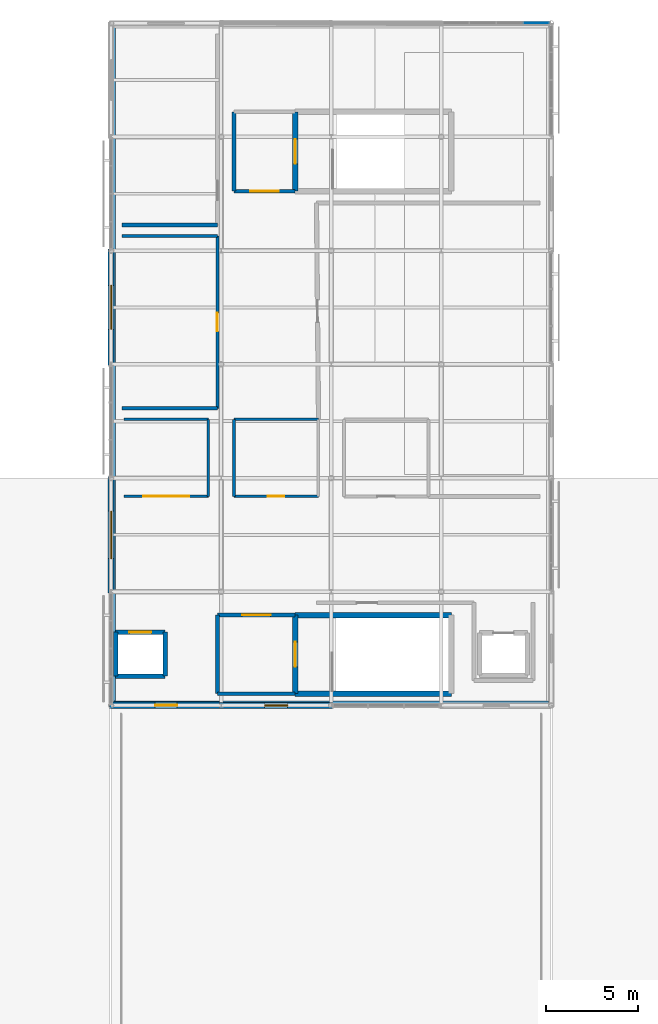
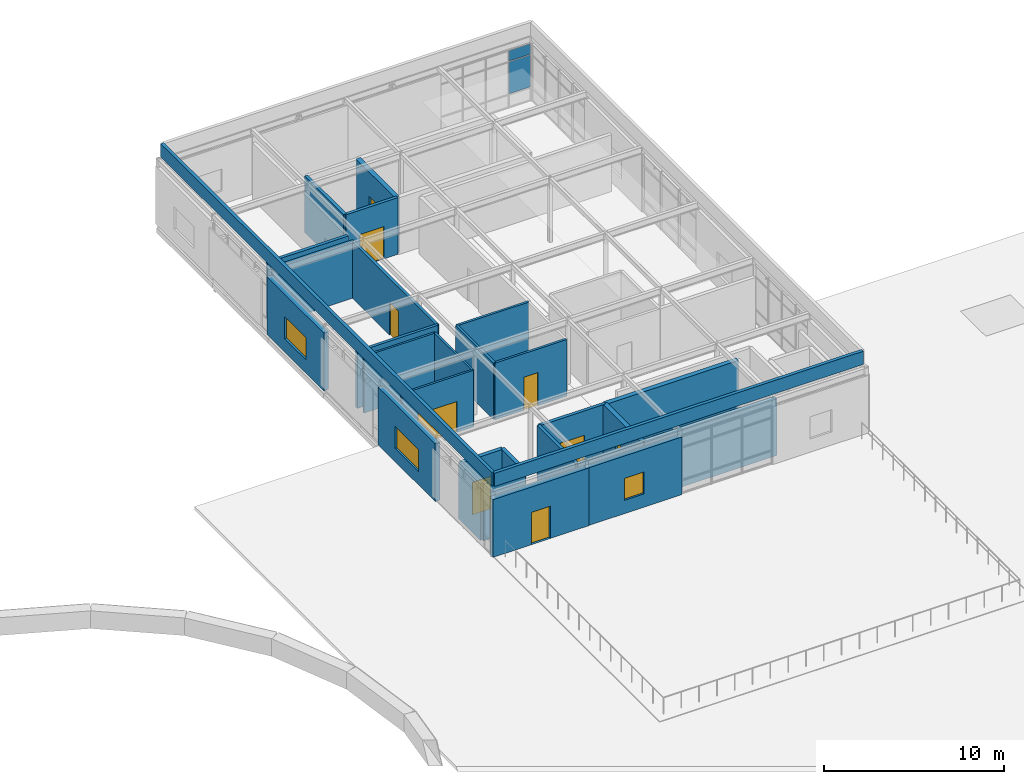
# One storey, part 13 of 16: 29 walls, 9 doors, 3 windows, 2 plates, 12 openings, 1 element without a shape of its own.
"""IFC4 building model written with IfcOpenShell, lengths in metres."""

from ifc_helpers import new_model, si_unit, direction, frame, frame_2d, origin, origin_2d, place, context, subcontext, project, spatial, rectangle, extrude, material, layer, layer_set, type_object, element, fill, aggregate, save


model = new_model("IFC4")

# Units and contexts
model_context = context("Model", 3, precision=1e-05, world=origin(), true_north=direction((0.0, 1.0)))
body_context = subcontext(model_context, "Body", "Model", "MODEL_VIEW")
ifc_project = project(units=[si_unit("LENGTHUNIT", "METRE"), si_unit("AREAUNIT", "SQUARE_METRE"), si_unit("VOLUMEUNIT", "CUBIC_METRE"), si_unit("PLANEANGLEUNIT", "RADIAN"), si_unit("MASSUNIT", "GRAM", prefix="KILO")], contexts=[model_context])

# Site, building, storey
site_placement = place(None, origin())
site = spatial("IfcSite", under=ifc_project, at=site_placement, CompositionType="ELEMENT")
building_placement = place(site_placement, origin())
building = spatial("IfcBuilding", under=site, at=building_placement, Name="Mirzam Square Science Centre", CompositionType="ELEMENT")
storey_placement = place(building_placement, frame((0.0, 0.0, 25.199951171875)))
storey = spatial("IfcBuildingStorey", under=building, at=storey_placement, Name="L05", CompositionType="ELEMENT", Elevation=25.199951171875)

# Curtain wall, plates
ifc_material_1 = material(Name="Anodised Aluminium and Low-E Solar Glass", Category="aluminium")
ifc_layer_1 = layer(ifc_material_1, 0.159912109375)
ifc_layer_set_1 = layer_set([ifc_layer_1], Name="CW-COURT-B")
curtain_wall_type = type_object("IfcCurtainWallType", Name="CW-COURT-B", PredefinedType="USERDEFINED", material=ifc_layer_set_1)
curtain_wall_placement = place(storey_placement, origin())
curtain_wall = element("IfcCurtainWall", 1, at=curtain_wall_placement, inside=storey, type_object=curtain_wall_type, Name="L05 unitised curtain wall 170", ObjectType="UNITISED CURTAIN WALL", PredefinedType="USERDEFINED")
ifc_material_2 = material(Name="Ceramic-Fritted Courtyard Solar Glass", Category="glass")
ifc_layer_2 = layer(ifc_material_2, 0.02392578125)
ifc_layer_set_2 = layer_set([ifc_layer_2], Name="CWP-GLZ-24")
plate_type = type_object("IfcPlateType", Name="CWP-GLZ-24", PredefinedType="CURTAIN_PANEL", material=ifc_layer_set_2)
plate_1_placement = place(storey_placement, frame((137.19384765625, 111.60009765625, 0.93017578125), z_axis=(0.0, 0.0, 1.0), x_axis=(-1.0, 0.0, 0.0)))
plate_1 = element("IfcPlate", 2, at=plate_1_placement, type_object=plate_type, Name="CW-04 panel 1.2", PredefinedType="CURTAIN_PANEL", context=body_context, shape_type="SweptSolid", body=[
    extrude(rectangle(XDim=1.382568359375, YDim=0.02392578125, at=origin_2d()), origin(), (0.0, 0.0, 1.0), 2.159912109375),
])
plate_2_placement = place(storey_placement, frame((137.19384765625, 111.60009765625, 3.150146484375), z_axis=(0.0, 0.0, 1.0), x_axis=(-1.0, 0.0, 0.0)))
plate_2 = element("IfcPlate", 3, at=plate_2_placement, type_object=plate_type, Name="CW-04 panel 1.3", PredefinedType="CURTAIN_PANEL", context=body_context, shape_type="SweptSolid", body=[
    extrude(rectangle(XDim=1.382568359375, YDim=0.02392578125, at=origin_2d()), origin(), (0.0, 0.0, 1.0), 0.7099609375),
])
aggregate(curtain_wall, [plate_1, plate_2])

# Walls
ifc_material_3 = material(Name="Concrete C45/55", Category="concrete")
ifc_layer_3 = layer(ifc_material_3, 0.300048828125)
ifc_layer_set_3 = layer_set([ifc_layer_3], Name="W-CORE-300")
wall_type_1 = type_object("IfcWallType", Name="W-CORE-300", PredefinedType="SHEAR", material=ifc_layer_set_3)
for number, where, z_axis, x_axis, name in (
    (4, (124.0400390625, 75.0400390625, 0.0), (0.0, 0.0, 1.0), (1.0, 0.0, 0.0), "L05 CORE-4 south wall"),
    (5, (132.56005859375, 79.330078125, 0.0), (0.0, 0.0, 1.0), (-1.0, 0.0, 0.0), "L05 CORE-4 north wall"),
):
    element("IfcWall", number, at=place(storey_placement, frame(where, z_axis=z_axis, x_axis=x_axis)), inside=storey, type_object=wall_type_1, Name=name, PredefinedType="SHEAR", context=body_context, shape_type="SweptSolid", body=[
        extrude(rectangle(XDim=8.52001953125, YDim=0.300048828125, at=frame_2d((4.260009765625, 0.0))), origin(), (0.0, 0.0, 1.0), 3.85009765625),
    ])

# Wall, opening, door
wall_1_placement = place(storey_placement, frame((124.0400390625, 79.330078125, 0.0), z_axis=(0.0, 0.0, 1.0), x_axis=(0.0, -1.0, 0.0)))
wall_1 = element("IfcWall", 6, at=wall_1_placement, inside=storey, type_object=wall_type_1, Name="L05 CORE-4 west wall", PredefinedType="SHEAR", context=body_context, shape_type="SweptSolid", body=[
    extrude(rectangle(XDim=4.2900390625, YDim=0.300048828125, at=frame_2d((2.14501953125, 0.0))), origin(), (0.0, 0.0, 1.0), 3.85009765625),
])
opening_1_placement = place(wall_1_placement, frame((1.469970703125, 0.0, 0.0)))
opening_1 = element("IfcOpeningElement", 7, at=opening_1_placement, cuts=wall_1, Name="Opening DS-01", PredefinedType="OPENING", context=body_context, shape_type="SweptSolid", body=[
    extrude(rectangle(XDim=1.35009765625, YDim=2.199951171875, at=frame_2d((0.675048828125, 1.10009765625))), frame((0.0, 0.159912109375, 0.0), z_axis=(0.0, -1.0, 0.0), x_axis=(1.0, 0.0, 0.0)), (0.0, 0.0, 1.0), 0.320068359375),
])
ifc_material_4 = material(Name="Fire-Rated Powder-Coated Architectural Steel Door", Category="steel")
door_type_1 = type_object("IfcDoorType", Name="DR-STAIR-1350x2200", OperationType="NOTDEFINED", PredefinedType="DOOR", material=ifc_material_4)
door_1_placement = place(opening_1_placement, origin())
door_1 = element("IfcDoor", 8, at=door_1_placement, inside=storey, type_object=door_type_1, Name="DRS-4-L05", OperationType="SINGLE_SWING_LEFT", OverallHeight=2.199951171875, OverallWidth=1.35009765625, PredefinedType="DOOR", context=body_context, shape_type="SweptSolid", body=[
    extrude(rectangle(XDim=1.35009765625, YDim=2.199951171875, at=frame_2d((0.675048828125, 1.10009765625))), frame((0.0, 0.02490234375, 0.0), z_axis=(0.0, -1.0, 0.0), x_axis=(1.0, 0.0, 0.0)), (0.0, 0.0, 1.0), 0.050048828125),
])
fill(opening_1, door_1)

wall_2_placement = place(storey_placement, frame((124.0400390625, 106.77001953125, 0.0), z_axis=(0.0, 0.0, 1.0), x_axis=(0.0, -1.0, 0.0)))
wall_2 = element("IfcWall", 9, at=wall_2_placement, inside=storey, type_object=wall_type_1, Name="L05 CORE-7 west wall", PredefinedType="SHEAR", context=body_context, shape_type="SweptSolid", body=[
    extrude(rectangle(XDim=4.330078125, YDim=0.300048828125, at=frame_2d((2.1650390625, 0.0))), origin(), (0.0, 0.0, 1.0), 3.85009765625),
])
opening_2_placement = place(wall_2_placement, frame((1.489990234375, 0.0, 0.0)))
opening_2 = element("IfcOpeningElement", 10, at=opening_2_placement, cuts=wall_2, Name="Opening DS-01", PredefinedType="OPENING", context=body_context, shape_type="SweptSolid", body=[
    extrude(rectangle(XDim=1.35009765625, YDim=2.199951171875, at=frame_2d((0.675048828125, 1.10009765625))), frame((0.0, 0.159912109375, 0.0), z_axis=(0.0, -1.0, 0.0), x_axis=(1.0, 0.0, 0.0)), (0.0, 0.0, 1.0), 0.320068359375),
])
door_2_placement = place(opening_2_placement, origin())
door_2 = element("IfcDoor", 11, at=door_2_placement, inside=storey, type_object=door_type_1, Name="DRS-7-L05", OperationType="SINGLE_SWING_RIGHT", OverallHeight=2.199951171875, OverallWidth=1.35009765625, PredefinedType="DOOR", context=body_context, shape_type="SweptSolid", body=[
    extrude(rectangle(XDim=1.35009765625, YDim=2.199951171875, at=frame_2d((0.675048828125, 1.10009765625))), frame((0.0, 0.02490234375, 0.0), z_axis=(0.0, -1.0, 0.0), x_axis=(1.0, 0.0, 0.0)), (0.0, 0.0, 1.0), 0.050048828125),
])
fill(opening_2, door_2)

ifc_material_5 = material(Name="Insulated Sand-Toned GFRC Concrete C40/50", Category="concrete")
ifc_layer_4 = layer(ifc_material_5, 0.35498046875)
ifc_layer_set_4 = layer_set([ifc_layer_4], Name="W-EXT-GFRC-355")
wall_type_2 = type_object("IfcWallType", Name="W-EXT-GFRC-355", PredefinedType="SOLIDWALL", material=ifc_layer_set_4)
wall_3_placement = place(storey_placement, frame((113.925048828125, 74.39990234375, 0.0), z_axis=(0.0, 0.0, 1.0), x_axis=(1.0, 0.0, 0.0)))
wall_3 = element("IfcWall", 12, at=wall_3_placement, inside=storey, type_object=wall_type_2, Name="L05 external wall EW-EST-S-L05-01", PredefinedType="SOLIDWALL", context=body_context, shape_type="SweptSolid", body=[
    extrude(rectangle(XDim=6.14990234375, YDim=0.35498046875, at=frame_2d((3.074951171875, 0.0))), origin(), (0.0, 0.0, 1.0), 3.920166015625),
])
opening_3_placement = place(wall_3_placement, frame((2.47509765625, 0.0, 0.0)))
opening_3 = element("IfcOpeningElement", 13, at=opening_3_placement, cuts=wall_3, Name="Opening TD-01", PredefinedType="OPENING", context=body_context, shape_type="SweptSolid", body=[
    extrude(rectangle(XDim=1.199951171875, YDim=2.199951171875, at=frame_2d((0.60009765625, 1.10009765625))), frame((0.0, 0.1875, 0.0), z_axis=(0.0, -1.0, 0.0), x_axis=(1.0, 0.0, 0.0)), (0.0, 0.0, 1.0), 0.375),
])
ifc_material_6 = material(Name="Thermally Broken Bronze-Anodised Aluminium and Laminated Glass", Category="aluminium")
door_type_2 = type_object("IfcDoorType", Name="DR-TERR-1200x2200", OperationType="NOTDEFINED", PredefinedType="DOOR", material=ifc_material_6)
door_3_placement = place(opening_3_placement, frame((1.199951171875, 0.0, 0.0), z_axis=(0.0, 0.0, 1.0), x_axis=(-1.0, 0.0, 0.0)))
door_3 = element("IfcDoor", 14, at=door_3_placement, inside=storey, type_object=door_type_2, Name="ED-L05-029", OperationType="SINGLE_SWING_RIGHT", OverallHeight=2.199951171875, OverallWidth=1.199951171875, PredefinedType="DOOR", context=body_context, shape_type="SweptSolid", body=[
    extrude(rectangle(XDim=1.199951171875, YDim=2.199951171875, at=frame_2d((0.60009765625, 1.10009765625))), frame((0.0, 0.02490234375, 0.0), z_axis=(0.0, -1.0, 0.0), x_axis=(1.0, 0.0, 0.0)), (0.0, 0.0, 1.0), 0.050048828125),
])
fill(opening_3, door_3)

# Wall, opening, window
ifc_material_7 = material(Name="Insulated Observatory Cladding Concrete C40/50", Category="concrete")
ifc_layer_5 = layer(ifc_material_7, 0.31494140625)
ifc_layer_set_5 = layer_set([ifc_layer_5], Name="W-EXT-OBS-315")
wall_type_3 = type_object("IfcWallType", Name="W-EXT-OBS-315", PredefinedType="SOLIDWALL", material=ifc_layer_set_5)
wall_4_placement = place(storey_placement, frame((119.925048828125, 74.39990234375, 0.0), z_axis=(0.0, 0.0, 1.0), x_axis=(1.0, 0.0, 0.0)))
wall_4 = element("IfcWall", 15, at=wall_4_placement, inside=storey, type_object=wall_type_3, Name="L05 external wall EW-EST-S-L05-02", PredefinedType="SOLIDWALL", context=body_context, shape_type="SweptSolid", body=[
    extrude(rectangle(XDim=6.14990234375, YDim=0.31494140625, at=frame_2d((3.074951171875, 0.0))), origin(), (0.0, 0.0, 1.0), 3.920166015625),
])
opening_4_placement = place(wall_4_placement, frame((2.449951171875, 0.0, 0.89990234375)))
opening_4 = element("IfcOpeningElement", 16, at=opening_4_placement, cuts=wall_4, Name="Opening W-13", PredefinedType="OPENING", context=body_context, shape_type="SweptSolid", body=[
    extrude(rectangle(XDim=1.25, YDim=1.5, at=frame_2d((0.625, 0.75))), frame((0.0, 0.16748046875, 0.0), z_axis=(0.0, -1.0, 0.0), x_axis=(1.0, 0.0, 0.0)), (0.0, 0.0, 1.0), 0.3349609375),
])
ifc_material_8 = material(Name="Thermally Broken Bronze Aluminium and Low-E Glass", Category="aluminium")
window_type_1 = type_object("IfcWindowType", Name="WIN-1250x1500", PartitioningType="SINGLE_PANEL", PredefinedType="WINDOW", material=ifc_material_8)
window_1_placement = place(opening_4_placement, origin())
window_1 = element("IfcWindow", 17, at=window_1_placement, inside=storey, type_object=window_type_1, Name="L05 solar window 101", OverallHeight=1.5, OverallWidth=1.25, PartitioningType="SINGLE_PANEL", PredefinedType="WINDOW", context=body_context, shape_type="SweptSolid", body=[
    extrude(rectangle(XDim=1.25, YDim=1.5, at=frame_2d((0.625, 0.75))), frame((0.0, 0.030029296875, 0.0), z_axis=(0.0, -1.0, 0.0), x_axis=(1.0, 0.0, 0.0)), (0.0, 0.0, 1.0), 0.06005859375),
])
fill(opening_4, window_1)

wall_5_placement = place(storey_placement, frame((114.0, 99.27490234375, 0.0), z_axis=(0.0, 0.0, 1.0), x_axis=(0.0, -1.0, 0.0)))
wall_5 = element("IfcWall", 18, at=wall_5_placement, inside=storey, type_object=wall_type_3, Name="L05 external wall EW-EST-W-L05-03", PredefinedType="SOLIDWALL", context=body_context, shape_type="SweptSolid", body=[
    extrude(rectangle(XDim=6.349853515625, YDim=0.31494140625, at=frame_2d((3.1748046875, 0.0))), origin(), (0.0, 0.0, 1.0), 3.920166015625),
])
opening_5_placement = place(wall_5_placement, frame((1.97509765625, 0.0, 0.89990234375)))
opening_5 = element("IfcOpeningElement", 19, at=opening_5_placement, cuts=wall_5, Name="Opening W-20", PredefinedType="OPENING", context=body_context, shape_type="SweptSolid", body=[
    extrude(rectangle(XDim=2.39990234375, YDim=1.5, at=frame_2d((1.199951171875, 0.75))), frame((0.0, 0.16748046875, 0.0), z_axis=(0.0, -1.0, 0.0), x_axis=(1.0, 0.0, 0.0)), (0.0, 0.0, 1.0), 0.3349609375),
])
window_type_2 = type_object("IfcWindowType", Name="WIN-2400x1500", PartitioningType="DOUBLE_PANEL_VERTICAL", PredefinedType="WINDOW", material=ifc_material_8)
window_2_placement = place(opening_5_placement, origin())
window_2 = element("IfcWindow", 20, at=window_2_placement, inside=storey, type_object=window_type_2, Name="L05 solar window 108", OverallHeight=1.5, OverallWidth=2.39990234375, PartitioningType="DOUBLE_PANEL_VERTICAL", PredefinedType="WINDOW", context=body_context, shape_type="SweptSolid", body=[
    extrude(rectangle(XDim=2.39990234375, YDim=1.5, at=frame_2d((1.199951171875, 0.75))), frame((0.0, 0.030029296875, 0.0), z_axis=(0.0, -1.0, 0.0), x_axis=(1.0, 0.0, 0.0)), (0.0, 0.0, 1.0), 0.06005859375),
])
fill(opening_5, window_2)

wall_6_placement = place(storey_placement, frame((114.0, 86.875, 0.0), z_axis=(0.0, 0.0, 1.0), x_axis=(0.0, -1.0, 0.0)))
wall_6 = element("IfcWall", 21, at=wall_6_placement, inside=storey, type_object=wall_type_3, Name="L05 external wall EW-EST-W-L05-05", PredefinedType="SOLIDWALL", context=body_context, shape_type="SweptSolid", body=[
    extrude(rectangle(XDim=6.35009765625, YDim=0.31494140625, at=frame_2d((3.175048828125, 0.0))), origin(), (0.0, 0.0, 1.0), 3.920166015625),
])
opening_6_placement = place(wall_6_placement, frame((1.875, 0.0, 0.89990234375)))
opening_6 = element("IfcOpeningElement", 22, at=opening_6_placement, cuts=wall_6, Name="Opening W-21", PredefinedType="OPENING", context=body_context, shape_type="SweptSolid", body=[
    extrude(rectangle(XDim=2.60009765625, YDim=1.5, at=frame_2d((1.300048828125, 0.75))), frame((0.0, 0.16748046875, 0.0), z_axis=(0.0, -1.0, 0.0), x_axis=(1.0, 0.0, 0.0)), (0.0, 0.0, 1.0), 0.3349609375),
])
window_type_3 = type_object("IfcWindowType", Name="WIN-2600x1500", PartitioningType="DOUBLE_PANEL_VERTICAL", PredefinedType="WINDOW", material=ifc_material_8)
window_3_placement = place(opening_6_placement, origin())
window_3 = element("IfcWindow", 23, at=window_3_placement, inside=storey, type_object=window_type_3, Name="L05 solar window 109", OverallHeight=1.5, OverallWidth=2.60009765625, PartitioningType="DOUBLE_PANEL_VERTICAL", PredefinedType="WINDOW", context=body_context, shape_type="SweptSolid", body=[
    extrude(rectangle(XDim=2.60009765625, YDim=1.5, at=frame_2d((1.300048828125, 0.75))), frame((0.0, 0.030029296875, 0.0), z_axis=(0.0, -1.0, 0.0), x_axis=(1.0, 0.0, 0.0)), (0.0, 0.0, 1.0), 0.06005859375),
])
fill(opening_6, window_3)

# Wall
ifc_layer_6 = layer(ifc_material_3, 0.199951171875)
ifc_layer_set_6 = layer_set([ifc_layer_6], Name="W-LOBBY-200")
wall_type_4 = type_object("IfcWallType", Name="W-LOBBY-200", PredefinedType="SHEAR", material=ifc_layer_set_6)
wall_7_placement = place(storey_placement, frame((119.800048828125, 75.0400390625, 0.0), z_axis=(0.0, 0.0, 1.0), x_axis=(1.0, 0.0, 0.0)))
element("IfcWall", 24, at=wall_7_placement, inside=storey, type_object=wall_type_4, Name="L05 CORE-4 lobby south wall", PredefinedType="SHEAR", context=body_context, shape_type="SweptSolid", body=[
    extrude(rectangle(XDim=4.239990234375, YDim=0.199951171875, at=frame_2d((2.1201171875, 0.0))), origin(), (0.0, 0.0, 1.0), 3.85009765625),
])

# Wall, opening, door
wall_8_placement = place(storey_placement, frame((124.0400390625, 79.330078125, 0.0), z_axis=(0.0, 0.0, 1.0), x_axis=(-1.0, 0.0, 0.0)))
wall_8 = element("IfcWall", 25, at=wall_8_placement, inside=storey, type_object=wall_type_4, Name="L05 CORE-4 lobby north wall", PredefinedType="SHEAR", context=body_context, shape_type="SweptSolid", body=[
    extrude(rectangle(XDim=4.239990234375, YDim=0.199951171875, at=frame_2d((2.1201171875, 0.0))), origin(), (0.0, 0.0, 1.0), 3.85009765625),
])
opening_7_placement = place(wall_8_placement, frame((1.344970703125, 0.0, 0.0)))
opening_7 = element("IfcOpeningElement", 26, at=opening_7_placement, cuts=wall_8, Name="Opening DL-01", PredefinedType="OPENING", context=body_context, shape_type="SweptSolid", body=[
    extrude(rectangle(XDim=1.550048828125, YDim=2.199951171875, at=frame_2d((0.77490234375, 1.10009765625))), frame((0.0, 0.10986328125, 0.0), z_axis=(0.0, -1.0, 0.0), x_axis=(1.0, 0.0, 0.0)), (0.0, 0.0, 1.0), 0.219970703125),
])
ifc_material_9 = material(Name="Fire-Rated Glazed Architectural Steel Lobby Door", Category="steel")
door_type_3 = type_object("IfcDoorType", Name="DR-LOBBY-1550x2200", OperationType="DOUBLE_DOOR_SINGLE_SWING", PredefinedType="DOOR", material=ifc_material_9)
door_4_placement = place(opening_7_placement, origin())
door_4 = element("IfcDoor", 27, at=door_4_placement, inside=storey, type_object=door_type_3, Name="DRL-4-L05", OperationType="SINGLE_SWING_LEFT", OverallHeight=2.199951171875, OverallWidth=1.550048828125, PredefinedType="DOOR", context=body_context, shape_type="SweptSolid", body=[
    extrude(rectangle(XDim=1.550048828125, YDim=2.199951171875, at=frame_2d((0.77490234375, 1.10009765625))), frame((0.0, 0.02490234375, 0.0), z_axis=(0.0, -1.0, 0.0), x_axis=(1.0, 0.0, 0.0)), (0.0, 0.0, 1.0), 0.050048828125),
])
fill(opening_7, door_4)

# Wall
wall_9_placement = place(storey_placement, frame((119.800048828125, 79.330078125, 0.0), z_axis=(0.0, 0.0, 1.0), x_axis=(0.0, -1.0, 0.0)))
element("IfcWall", 28, at=wall_9_placement, inside=storey, type_object=wall_type_4, Name="L05 CORE-4 lobby west wall", PredefinedType="SHEAR", context=body_context, shape_type="SweptSolid", body=[
    extrude(rectangle(XDim=4.2900390625, YDim=0.199951171875, at=frame_2d((2.14501953125, 0.0))), origin(), (0.0, 0.0, 1.0), 3.85009765625),
])

# Wall, opening, door
wall_10_placement = place(storey_placement, frame((120.699951171875, 102.43994140625, 0.0), z_axis=(0.0, 0.0, 1.0), x_axis=(1.0, 0.0, 0.0)))
wall_10 = element("IfcWall", 29, at=wall_10_placement, inside=storey, type_object=wall_type_4, Name="L05 CORE-7 lobby south wall", PredefinedType="SHEAR", context=body_context, shape_type="SweptSolid", body=[
    extrude(rectangle(XDim=3.340087890625, YDim=0.199951171875, at=frame_2d((1.669921875, 0.0))), origin(), (0.0, 0.0, 1.0), 3.85009765625),
])
opening_8_placement = place(wall_10_placement, frame((0.89501953125, 0.0, 0.0)))
opening_8 = element("IfcOpeningElement", 30, at=opening_8_placement, cuts=wall_10, Name="Opening DL-01", PredefinedType="OPENING", context=body_context, shape_type="SweptSolid", body=[
    extrude(rectangle(XDim=1.550048828125, YDim=2.199951171875, at=frame_2d((0.77490234375, 1.10009765625))), frame((0.0, 0.10986328125, 0.0), z_axis=(0.0, -1.0, 0.0), x_axis=(1.0, 0.0, 0.0)), (0.0, 0.0, 1.0), 0.219970703125),
])
door_5_placement = place(opening_8_placement, origin())
door_5 = element("IfcDoor", 31, at=door_5_placement, inside=storey, type_object=door_type_3, Name="DRL-7-L05", OperationType="SINGLE_SWING_LEFT", OverallHeight=2.199951171875, OverallWidth=1.550048828125, PredefinedType="DOOR", context=body_context, shape_type="SweptSolid", body=[
    extrude(rectangle(XDim=1.550048828125, YDim=2.199951171875, at=frame_2d((0.77490234375, 1.10009765625))), frame((0.0, 0.02490234375, 0.0), z_axis=(0.0, -1.0, 0.0), x_axis=(1.0, 0.0, 0.0)), (0.0, 0.0, 1.0), 0.050048828125),
])
fill(opening_8, door_5)

# Walls
wall_11_placement = place(storey_placement, frame((120.699951171875, 106.77001953125, 0.0), z_axis=(0.0, 0.0, 1.0), x_axis=(0.0, -1.0, 0.0)))
element("IfcWall", 32, at=wall_11_placement, inside=storey, type_object=wall_type_4, Name="L05 CORE-7 lobby west wall", PredefinedType="SHEAR", context=body_context, shape_type="SweptSolid", body=[
    extrude(rectangle(XDim=4.330078125, YDim=0.199951171875, at=frame_2d((2.1650390625, 0.0))), origin(), (0.0, 0.0, 1.0), 3.85009765625),
])
ifc_material_10 = material(Name="GFRC Coping Parapet Concrete C40/50", Category="concrete")
ifc_layer_7 = layer(ifc_material_10, 0.2099609375)
ifc_layer_set_7 = layer_set([ifc_layer_7], Name="W-PARAPET-210")
wall_type_5 = type_object("IfcWallType", Name="W-PARAPET-210", PredefinedType="PARAPET", material=ifc_layer_set_7)
wall_12_placement = place(storey_placement, frame((114.14990234375, 74.550048828125, 4.60009765625), z_axis=(0.0, 0.0, 1.0), x_axis=(1.0, 0.0, 0.0)))
element("IfcWall", 33, at=wall_12_placement, inside=storey, type_object=wall_type_5, Name="OBS-ROOF perimeter parapet 1", PredefinedType="PARAPET", context=body_context, shape_type="SweptSolid", body=[
    extrude(rectangle(XDim=23.7001953125, YDim=0.2099609375, at=frame_2d((11.85009765625, 0.0))), origin(), (0.0, 0.0, 1.0), 0.89990234375),
])
wall_13_placement = place(storey_placement, frame((114.14990234375, 111.449951171875, 4.60009765625), z_axis=(0.0, 0.0, 1.0), x_axis=(0.0, -1.0, 0.0)))
element("IfcWall", 34, at=wall_13_placement, inside=storey, type_object=wall_type_5, Name="OBS-ROOF perimeter parapet 4", PredefinedType="PARAPET", context=body_context, shape_type="SweptSolid", body=[
    extrude(rectangle(XDim=36.89990234375, YDim=0.2099609375, at=frame_2d((18.449951171875, 0.0))), origin(), (0.0, 0.0, 1.0), 0.89990234375),
])
ifc_material_11 = material(Name="Double-Board Gypsum Partition", Category="gypsum")
ifc_layer_8 = layer(ifc_material_11, 0.135009765625)
ifc_layer_set_8 = layer_set([ifc_layer_8], Name="W-PART-135")
wall_type_6 = type_object("IfcWallType", Name="W-PART-135", PredefinedType="PARTITIONING", material=ifc_layer_set_8)
wall_14_placement = place(storey_placement, frame((114.699951171875, 90.0, 0.0), z_axis=(0.0, 0.0, 1.0), x_axis=(1.0, 0.0, 0.0)))
element("IfcWall", 35, at=wall_14_placement, inside=storey, type_object=wall_type_6, Name="L05 Male WC L05 partition 301", PredefinedType="PARTITIONING", context=body_context, shape_type="SweptSolid", body=[
    extrude(rectangle(XDim=4.60009765625, YDim=0.135009765625, at=frame_2d((2.300048828125, 0.0))), origin(), (0.0, 0.0, 1.0), 3.85009765625),
])
wall_15_placement = place(storey_placement, frame((119.300048828125, 90.0, 0.0), z_axis=(0.0, 0.0, 1.0), x_axis=(0.0, -1.0, 0.0)))
element("IfcWall", 36, at=wall_15_placement, inside=storey, type_object=wall_type_6, Name="L05 Male WC L05 partition 302", PredefinedType="PARTITIONING", context=body_context, shape_type="SweptSolid", body=[
    extrude(rectangle(XDim=4.199951171875, YDim=0.135009765625, at=frame_2d((2.10009765625, 0.0))), origin(), (0.0, 0.0, 1.0), 3.85009765625),
])

# Wall, opening, door
wall_16_placement = place(storey_placement, frame((119.300048828125, 85.800048828125, 0.0), z_axis=(0.0, 0.0, 1.0), x_axis=(-1.0, 0.0, 0.0)))
wall_16 = element("IfcWall", 37, at=wall_16_placement, inside=storey, type_object=wall_type_6, Name="L05 Male WC L05 partition 303", PredefinedType="PARTITIONING", context=body_context, shape_type="SweptSolid", body=[
    extrude(rectangle(XDim=4.60009765625, YDim=0.135009765625, at=frame_2d((2.300048828125, 0.0))), origin(), (0.0, 0.0, 1.0), 3.85009765625),
])
opening_9_placement = place(wall_16_placement, frame((1.050048828125, 0.0, 0.0)))
opening_9 = element("IfcOpeningElement", 38, at=opening_9_placement, cuts=wall_16, Name="Opening D-12", PredefinedType="OPENING", context=body_context, shape_type="SweptSolid", body=[
    extrude(rectangle(XDim=2.5, YDim=2.10009765625, at=frame_2d((1.25, 1.050048828125))), frame((0.0, 0.077392578125, 0.0), z_axis=(0.0, -1.0, 0.0), x_axis=(1.0, 0.0, 0.0)), (0.0, 0.0, 1.0), 0.155029296875),
])
ifc_material_12 = material(Name="Powder-Coated Architectural Steel Acoustic Door", Category="steel")
door_type_4 = type_object("IfcDoorType", Name="DR-INT-2500x2100", OperationType="DOUBLE_DOOR_SINGLE_SWING", PredefinedType="DOOR", material=ifc_material_12)
door_6_placement = place(opening_9_placement, origin())
door_6 = element("IfcDoor", 39, at=door_6_placement, inside=storey, type_object=door_type_4, Name="ID-L05-0083", OperationType="DOUBLE_DOOR_SINGLE_SWING", OverallHeight=2.10009765625, OverallWidth=2.5, PredefinedType="DOOR", context=body_context, shape_type="SweptSolid", body=[
    extrude(rectangle(XDim=2.5, YDim=2.10009765625, at=frame_2d((1.25, 1.050048828125))), frame((0.0, 0.02490234375, 0.0), z_axis=(0.0, -1.0, 0.0), x_axis=(1.0, 0.0, 0.0)), (0.0, 0.0, 1.0), 0.050048828125),
])
fill(opening_9, door_6)

# Wall
ifc_material_13 = material(Name="Laboratory Acoustic Partition", Category="gypsum")
ifc_layer_9 = layer(ifc_material_13, 0.14990234375)
ifc_layer_set_9 = layer_set([ifc_layer_9], Name="W-PART-150")
wall_type_7 = type_object("IfcWallType", Name="W-PART-150", PredefinedType="PARTITIONING", material=ifc_layer_set_9)
wall_17_placement = place(storey_placement, frame((120.699951171875, 90.0, 0.0), z_axis=(0.0, 0.0, 1.0), x_axis=(1.0, 0.0, 0.0)))
element("IfcWall", 40, at=wall_17_placement, inside=storey, type_object=wall_type_7, Name="L05 Female WC L05 partition 304", PredefinedType="PARTITIONING", context=body_context, shape_type="SweptSolid", body=[
    extrude(rectangle(XDim=4.60009765625, YDim=0.14990234375, at=frame_2d((2.300048828125, 0.0))), origin(), (0.0, 0.0, 1.0), 3.85009765625),
])

# Wall, opening, door
wall_18_placement = place(storey_placement, frame((125.300048828125, 85.800048828125, 0.0), z_axis=(0.0, 0.0, 1.0), x_axis=(-1.0, 0.0, 0.0)))
wall_18 = element("IfcWall", 41, at=wall_18_placement, inside=storey, type_object=wall_type_7, Name="L05 Female WC L05 partition 306", PredefinedType="PARTITIONING", context=body_context, shape_type="SweptSolid", body=[
    extrude(rectangle(XDim=4.60009765625, YDim=0.14990234375, at=frame_2d((2.300048828125, 0.0))), origin(), (0.0, 0.0, 1.0), 3.85009765625),
])
opening_10_placement = place(wall_18_placement, frame((1.85009765625, 0.0, 0.0)))
opening_10 = element("IfcOpeningElement", 42, at=opening_10_placement, cuts=wall_18, Name="Opening D-13", PredefinedType="OPENING", context=body_context, shape_type="SweptSolid", body=[
    extrude(rectangle(XDim=0.89990234375, YDim=2.25, at=frame_2d((0.449951171875, 1.125))), frame((0.0, 0.0849609375, 0.0), z_axis=(0.0, -1.0, 0.0), x_axis=(1.0, 0.0, 0.0)), (0.0, 0.0, 1.0), 0.169921875),
])
ifc_material_14 = material(Name="Solid Core Acoustic Oak Timber Door", Category="wood")
door_type_5 = type_object("IfcDoorType", Name="DR-INT-900x2250", OperationType="NOTDEFINED", PredefinedType="DOOR", material=ifc_material_14)
door_7_placement = place(opening_10_placement, origin())
door_7 = element("IfcDoor", 43, at=door_7_placement, inside=storey, type_object=door_type_5, Name="ID-L05-0084", OperationType="SINGLE_SWING_LEFT", OverallHeight=2.25, OverallWidth=0.89990234375, PredefinedType="DOOR", context=body_context, shape_type="SweptSolid", body=[
    extrude(rectangle(XDim=0.89990234375, YDim=2.25, at=frame_2d((0.449951171875, 1.125))), frame((0.0, 0.02490234375, 0.0), z_axis=(0.0, -1.0, 0.0), x_axis=(1.0, 0.0, 0.0)), (0.0, 0.0, 1.0), 0.050048828125),
])
fill(opening_10, door_7)

# Walls
wall_19_placement = place(storey_placement, frame((120.699951171875, 85.800048828125, 0.0), z_axis=(0.0, 0.0, 1.0), x_axis=(0.0, 1.0, 0.0)))
element("IfcWall", 44, at=wall_19_placement, inside=storey, type_object=wall_type_7, Name="L05 Female WC L05 partition 307", PredefinedType="PARTITIONING", context=body_context, shape_type="SweptSolid", body=[
    extrude(rectangle(XDim=4.199951171875, YDim=0.14990234375, at=frame_2d((2.10009765625, 0.0))), origin(), (0.0, 0.0, 1.0), 3.85009765625),
])
ifc_material_15 = material(Name="Workshop Acoustic Masonry Partition", Category="masonry")
ifc_layer_10 = layer(ifc_material_15, 0.179931640625)
ifc_layer_set_10 = layer_set([ifc_layer_10], Name="W-PART-180")
wall_type_8 = type_object("IfcWallType", Name="W-PART-180", PredefinedType="PARTITIONING", material=ifc_layer_set_10)
wall_20_placement = place(storey_placement, frame((114.60009765625, 100.0, 0.0), z_axis=(0.0, 0.0, 1.0), x_axis=(1.0, 0.0, 0.0)))
element("IfcWall", 45, at=wall_20_placement, inside=storey, type_object=wall_type_8, Name="L05 Observatory Warm Control Room partition 312", PredefinedType="PARTITIONING", context=body_context, shape_type="SweptSolid", body=[
    extrude(rectangle(XDim=5.199951171875, YDim=0.179931640625, at=frame_2d((2.60009765625, 0.0))), origin(), (0.0, 0.0, 1.0), 3.85009765625),
])

# Wall, opening, door
wall_21_placement = place(storey_placement, frame((119.800048828125, 100.0, 0.0), z_axis=(0.0, 0.0, 1.0), x_axis=(0.0, -1.0, 0.0)))
wall_21 = element("IfcWall", 46, at=wall_21_placement, inside=storey, type_object=wall_type_8, Name="L05 Observatory Warm Control Room partition 313", PredefinedType="PARTITIONING", context=body_context, shape_type="SweptSolid", body=[
    extrude(rectangle(XDim=9.39990234375, YDim=0.179931640625, at=frame_2d((4.699951171875, 0.0))), origin(), (0.0, 0.0, 1.0), 3.85009765625),
])
opening_11_placement = place(wall_21_placement, frame((4.199951171875, 0.0, 0.0)))
opening_11 = element("IfcOpeningElement", 47, at=opening_11_placement, cuts=wall_21, Name="Opening D-15", PredefinedType="OPENING", context=body_context, shape_type="SweptSolid", body=[
    extrude(rectangle(XDim=1.0, YDim=2.25, at=frame_2d((0.5, 1.125))), frame((0.0, 0.099853515625, 0.0), z_axis=(0.0, -1.0, 0.0), x_axis=(1.0, 0.0, 0.0)), (0.0, 0.0, 1.0), 0.199951171875),
])
door_type_6 = type_object("IfcDoorType", Name="DR-INT-1000x2250", OperationType="NOTDEFINED", PredefinedType="DOOR", material=ifc_material_14)
door_8_placement = place(opening_11_placement, origin())
door_8 = element("IfcDoor", 48, at=door_8_placement, inside=storey, type_object=door_type_6, Name="ID-L05-0086", OperationType="SINGLE_SWING_LEFT", OverallHeight=2.25, OverallWidth=1.0, PredefinedType="DOOR", context=body_context, shape_type="SweptSolid", body=[
    extrude(rectangle(XDim=1.0, YDim=2.25, at=frame_2d((0.5, 1.125))), frame((0.0, 0.02490234375, 0.0), z_axis=(0.0, -1.0, 0.0), x_axis=(1.0, 0.0, 0.0)), (0.0, 0.0, 1.0), 0.050048828125),
])
fill(opening_11, door_8)

# Walls
wall_22_placement = place(storey_placement, frame((119.800048828125, 90.60009765625, 0.0), z_axis=(0.0, 0.0, 1.0), x_axis=(-1.0, 0.0, 0.0)))
element("IfcWall", 49, at=wall_22_placement, inside=storey, type_object=wall_type_8, Name="L05 Observatory Warm Control Room partition 314", PredefinedType="PARTITIONING", context=body_context, shape_type="SweptSolid", body=[
    extrude(rectangle(XDim=5.199951171875, YDim=0.179931640625, at=frame_2d((2.60009765625, 0.0))), origin(), (0.0, 0.0, 1.0), 3.85009765625),
])
ifc_material_16 = material(Name="Fire-Rated Corridor Blockwork Concrete C30/37", Category="masonry")
ifc_layer_11 = layer(ifc_material_16, 0.199951171875)
ifc_layer_set_11 = layer_set([ifc_layer_11], Name="W-PART-200")
wall_type_9 = type_object("IfcWallType", Name="W-PART-200", PredefinedType="PARTITIONING", material=ifc_layer_set_11)
wall_23_placement = place(storey_placement, frame((119.800048828125, 100.60009765625, 0.0), z_axis=(0.0, 0.0, 1.0), x_axis=(-1.0, 0.0, 0.0)))
element("IfcWall", 50, at=wall_23_placement, inside=storey, type_object=wall_type_9, Name="L05 Solar and Optical Spectroscopy Laboratory partition 316", PredefinedType="PARTITIONING", context=body_context, shape_type="SweptSolid", body=[
    extrude(rectangle(XDim=5.199951171875, YDim=0.199951171875, at=frame_2d((2.60009765625, 0.0))), origin(), (0.0, 0.0, 1.0), 3.85009765625),
])
ifc_layer_12 = layer(ifc_material_3, 0.25)
ifc_layer_set_12 = layer_set([ifc_layer_12], Name="W-SHAFT-250")
wall_type_10 = type_object("IfcWallType", Name="W-SHAFT-250", PredefinedType="SHEAR", material=ifc_layer_set_12)
wall_24_placement = place(storey_placement, frame((114.25, 76.0, 0.0), z_axis=(0.0, 0.0, 1.0), x_axis=(1.0, 0.0, 0.0)))
element("IfcWall", 51, at=wall_24_placement, inside=storey, type_object=wall_type_10, Name="L05 lift LF-02 shaft wall S", PredefinedType="SHEAR", context=body_context, shape_type="SweptSolid", body=[
    extrude(rectangle(XDim=2.699951171875, YDim=0.25, at=frame_2d((1.35009765625, 0.0))), origin(), (0.0, 0.0, 1.0), 3.85009765625),
])

# Wall, opening, door
wall_25_placement = place(storey_placement, frame((116.949951171875, 78.39990234375, 0.0), z_axis=(0.0, 0.0, 1.0), x_axis=(-1.0, 0.0, 0.0)))
wall_25 = element("IfcWall", 52, at=wall_25_placement, inside=storey, type_object=wall_type_10, Name="L05 lift LF-02 shaft wall N", PredefinedType="SHEAR", context=body_context, shape_type="SweptSolid", body=[
    extrude(rectangle(XDim=2.699951171875, YDim=0.25, at=frame_2d((1.35009765625, 0.0))), origin(), (0.0, 0.0, 1.0), 3.85009765625),
])
opening_12_placement = place(wall_25_placement, frame((0.75, 0.0, 0.0)))
opening_12 = element("IfcOpeningElement", 53, at=opening_12_placement, cuts=wall_25, Name="Opening LD-02", PredefinedType="OPENING", context=body_context, shape_type="SweptSolid", body=[
    extrude(rectangle(XDim=1.199951171875, YDim=2.199951171875, at=frame_2d((0.60009765625, 1.10009765625))), frame((0.0, 0.135009765625, 0.0), z_axis=(0.0, -1.0, 0.0), x_axis=(1.0, 0.0, 0.0)), (0.0, 0.0, 1.0), 0.27001953125),
])
ifc_material_17 = material(Name="Firefighting Brushed Stainless Steel 316L Sliding Door", Category="steel")
door_type_7 = type_object("IfcDoorType", Name="LD-FIRE-1200x2200", OperationType="DOUBLE_DOOR_SLIDING", PredefinedType="DOOR", material=ifc_material_17)
door_9_placement = place(opening_12_placement, origin())
door_9 = element("IfcDoor", 54, at=door_9_placement, inside=storey, type_object=door_type_7, Name="LD-LF-02-L05", OperationType="DOUBLE_DOOR_SLIDING", OverallHeight=2.199951171875, OverallWidth=1.199951171875, PredefinedType="DOOR", context=body_context, shape_type="SweptSolid", body=[
    extrude(rectangle(XDim=1.199951171875, YDim=2.199951171875, at=frame_2d((0.60009765625, 1.10009765625))), frame((0.0, 0.02490234375, 0.0), z_axis=(0.0, -1.0, 0.0), x_axis=(1.0, 0.0, 0.0)), (0.0, 0.0, 1.0), 0.050048828125),
])
fill(opening_12, door_9)

# Walls
for number, where, z_axis, x_axis, name in (
    (55, (114.25, 78.39990234375, 0.0), (0.0, 0.0, 1.0), (0.0, -1.0, 0.0), "L05 lift LF-02 shaft wall W"),
    (56, (116.949951171875, 76.0, 0.0), (0.0, 0.0, 1.0), (0.0, 1.0, 0.0), "L05 lift LF-02 shaft wall E"),
):
    element("IfcWall", number, at=place(storey_placement, frame(where, z_axis=z_axis, x_axis=x_axis)), inside=storey, type_object=wall_type_10, Name=name, PredefinedType="SHEAR", context=body_context, shape_type="SweptSolid", body=[
        extrude(rectangle(XDim=2.39990234375, YDim=0.25, at=frame_2d((1.199951171875, 0.0))), origin(), (0.0, 0.0, 1.0), 3.85009765625),
    ])

save(model, "model.ifc")
